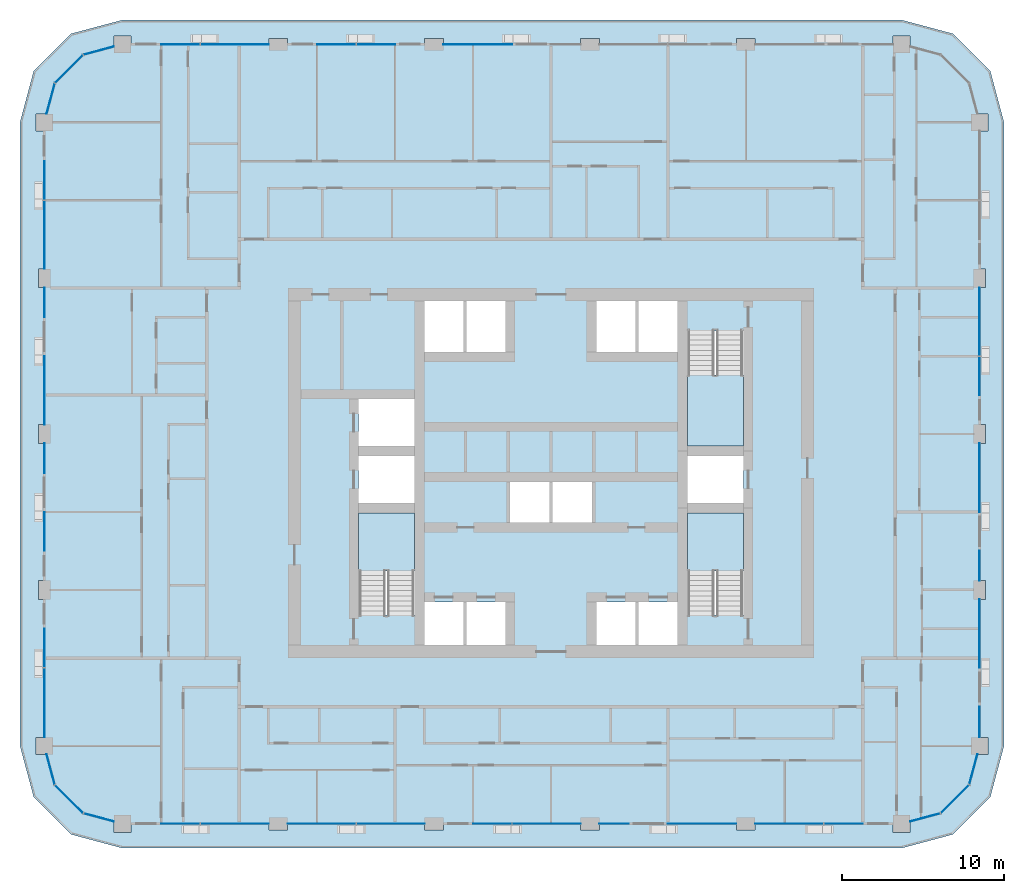
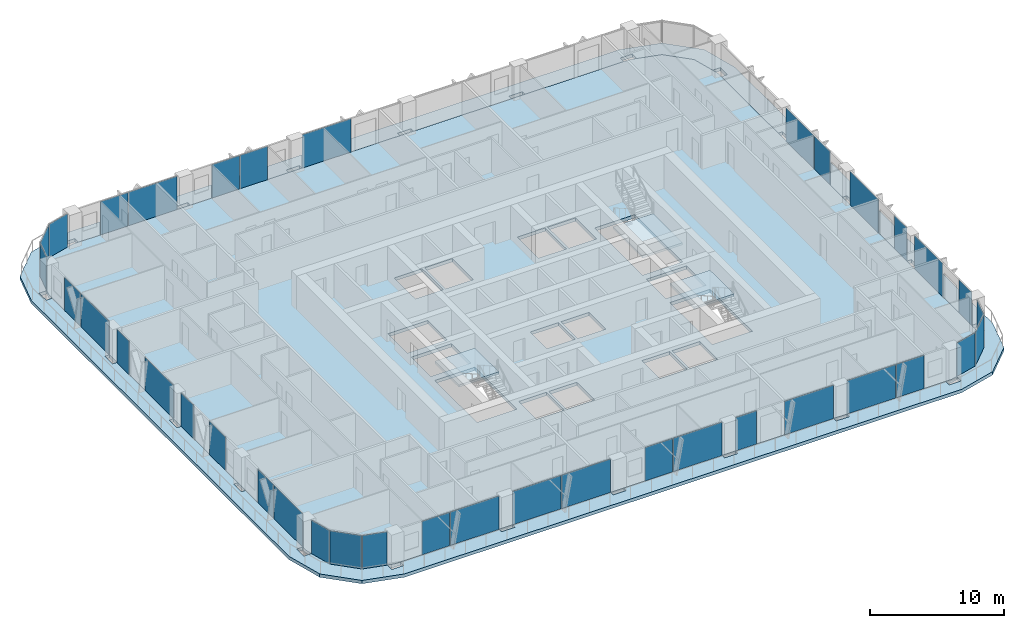
# One storey, part 7 of 22: 38 plates, 5 slabs, 21 elements without a shape of their own.
"""IFC4 building model written with IfcOpenShell, lengths in metres."""

from ifc_helpers import new_model, si_unit, direction, frame, origin, origin_2d, place, context, subcontext, project, spatial, polyline, rectangle, outline, extrude, material, layer, layer_set, type_object, element, aggregate, save


model = new_model("IFC4")

# Units and contexts
model_context = context("Model", 3, precision=1e-05, world=origin(), true_north=direction((0.0, 1.0)))
body_context = subcontext(model_context, "Body", "Model", "MODEL_VIEW")
ifc_project = project(units=[si_unit("LENGTHUNIT", "METRE"), si_unit("AREAUNIT", "SQUARE_METRE"), si_unit("VOLUMEUNIT", "CUBIC_METRE"), si_unit("PLANEANGLEUNIT", "RADIAN"), si_unit("MASSUNIT", "GRAM", prefix="KILO")], contexts=[model_context])

# Site, building, storey
site_placement = place(None, origin())
site = spatial("IfcSite", under=ifc_project, at=site_placement, CompositionType="ELEMENT")
building_placement = place(site_placement, origin())
building = spatial("IfcBuilding", under=site, at=building_placement, Name="Madar Terraces", CompositionType="ELEMENT")
storey_placement = place(building_placement, frame((0.0, 0.0, 140.10009765625)))
storey = spatial("IfcBuildingStorey", under=building, at=storey_placement, Name="L36", CompositionType="ELEMENT", Elevation=140.10009765625)

# Slabs
ifc_material_1 = material(Name="Concrete C50/60", Category="concrete")
ifc_layer_1 = layer(ifc_material_1, 0.300048828125)
ifc_layer_set_1 = layer_set([ifc_layer_1], Name="Balcony band 300")
slab_type_1 = type_object("IfcSlabType", Name="Balcony band 300", PredefinedType="FLOOR", material=ifc_layer_set_1)
slab_1_placement = place(storey_placement, frame((0.0, 0.0, -0.300048828125)))
element("IfcSlab", 1, at=slab_1_placement, inside=storey, type_object=slab_type_1, Name="Balcony band", PredefinedType="FLOOR", context=body_context, shape_type="SweptSolid", body=[
    extrude(outline(polyline([(4.800048828125, 3.300048828125), (1.64990234375, 4.14404296875), (-0.656005859375, 6.449951171875), (-1.5, 9.60009765625), (-1.5, 48.0), (-0.656005859375, 51.14990234375), (1.64990234375, 53.4560546875), (4.800048828125, 54.300048828125), (52.800048828125, 54.300048828125), (55.949951171875, 53.4560546875), (58.256103515625, 51.14990234375), (59.10009765625, 48.0), (59.10009765625, 9.60009765625), (58.256103515625, 6.449951171875), (55.949951171875, 4.14404296875), (52.800048828125, 3.300048828125), (4.800048828125, 3.300048828125)]), holes=[polyline([(5.324951171875, 4.27490234375), (5.324951171875, 4.800048828125), (13.824951171875, 4.800048828125), (13.824951171875, 4.425048828125), (14.97509765625, 4.425048828125), (14.97509765625, 4.800048828125), (23.425048828125, 4.800048828125), (23.425048828125, 4.425048828125), (24.574951171875, 4.425048828125), (24.574951171875, 4.800048828125), (33.02490234375, 4.800048828125), (33.02490234375, 4.425048828125), (34.175048828125, 4.425048828125), (34.175048828125, 4.800048828125), (42.625, 4.800048828125), (42.625, 4.425048828125), (43.77490234375, 4.425048828125), (43.77490234375, 4.800048828125), (52.27490234375, 4.800048828125), (52.27490234375, 4.27490234375), (53.324951171875, 4.27490234375), (53.324951171875, 4.940673828125), (55.199951171875, 5.443115234375), (56.956787109375, 7.199951171875), (57.459228515625, 9.074951171875), (58.125, 9.074951171875), (58.125, 10.125), (57.60009765625, 10.125), (57.60009765625, 18.625), (57.97509765625, 18.625), (57.97509765625, 19.77490234375), (57.60009765625, 19.77490234375), (57.60009765625, 28.22509765625), (57.97509765625, 28.22509765625), (57.97509765625, 29.375), (57.60009765625, 29.375), (57.60009765625, 37.824951171875), (57.97509765625, 37.824951171875), (57.97509765625, 38.97509765625), (57.60009765625, 38.97509765625), (57.60009765625, 47.47509765625), (58.125, 47.47509765625), (58.125, 48.52490234375), (57.459228515625, 48.52490234375), (56.956787109375, 50.39990234375), (55.199951171875, 52.156982421875), (53.324951171875, 52.6591796875), (53.324951171875, 53.324951171875), (52.27490234375, 53.324951171875), (52.27490234375, 52.800048828125), (43.77490234375, 52.800048828125), (43.77490234375, 53.175048828125), (42.625, 53.175048828125), (42.625, 52.800048828125), (34.175048828125, 52.800048828125), (34.175048828125, 53.175048828125), (33.02490234375, 53.175048828125), (33.02490234375, 52.800048828125), (24.574951171875, 52.800048828125), (24.574951171875, 53.175048828125), (23.425048828125, 53.175048828125), (23.425048828125, 52.800048828125), (14.97509765625, 52.800048828125), (14.97509765625, 53.175048828125), (13.824951171875, 53.175048828125), (13.824951171875, 52.800048828125), (5.324951171875, 52.800048828125), (5.324951171875, 53.324951171875), (4.27490234375, 53.324951171875), (4.27490234375, 52.6591796875), (2.39990234375, 52.156982421875), (0.64306640625, 50.39990234375), (0.140625, 48.52490234375), (-0.52490234375, 48.52490234375), (-0.52490234375, 47.47509765625), (0.0, 47.47509765625), (0.0, 38.97509765625), (-0.375, 38.97509765625), (-0.375, 37.824951171875), (0.0, 37.824951171875), (0.0, 29.375), (-0.375, 29.375), (-0.375, 28.22509765625), (0.0, 28.22509765625), (0.0, 19.77490234375), (-0.375, 19.77490234375), (-0.375, 18.625), (0.0, 18.625), (0.0, 10.125), (-0.52490234375, 10.125), (-0.52490234375, 9.074951171875), (0.140625, 9.074951171875), (0.64306640625, 7.199951171875), (2.39990234375, 5.443115234375), (4.27490234375, 4.940673828125), (4.27490234375, 4.27490234375), (5.324951171875, 4.27490234375)])]), origin(), (0.0, 0.0, 1.0), 0.300048828125),
])
ifc_material_2 = material(Name="Concrete C50/60", Category="concrete")
ifc_layer_2 = layer(ifc_material_2, 0.300048828125)
ifc_layer_set_2 = layer_set([ifc_layer_2], Name="FS2 PT flat slab 300")
slab_type_2 = type_object("IfcSlabType", Name="FS2 PT flat slab 300", PredefinedType="FLOOR", material=ifc_layer_set_2)
slab_2_placement = place(storey_placement, frame((0.0, 0.0, -0.300048828125)))
element("IfcSlab", 2, at=slab_2_placement, inside=storey, type_object=slab_type_2, Name="Floor slab L36 (1)", PredefinedType="FLOOR", context=body_context, shape_type="SweptSolid", body=[
    extrude(outline(polyline([(52.800048828125, 4.800048828125), (55.199951171875, 5.443115234375), (56.95703125, 7.199951171875), (57.60009765625, 9.60009765625), (57.60009765625, 48.0), (56.95703125, 50.39990234375), (55.199951171875, 52.156982421875), (52.800048828125, 52.800048828125), (4.800048828125, 52.800048828125), (2.39990234375, 52.156982421875), (0.64306640625, 50.39990234375), (0.0, 48.0), (0.0, 9.60009765625), (0.64306640625, 7.199951171875), (2.39990234375, 5.443115234375), (4.800048828125, 4.800048828125), (52.800048828125, 4.800048828125)]), holes=[polyline([(23.39990234375, 15.800048828125), (23.39990234375, 18.449951171875), (25.800048828125, 18.449951171875), (25.800048828125, 15.800048828125), (23.39990234375, 15.800048828125)]), polyline([(26.0, 15.800048828125), (26.0, 18.449951171875), (28.39990234375, 18.449951171875), (28.39990234375, 15.800048828125), (26.0, 15.800048828125)]), polyline([(19.35009765625, 17.64990234375), (19.35009765625, 23.949951171875), (22.800048828125, 23.949951171875), (22.800048828125, 17.64990234375), (19.35009765625, 17.64990234375)]), polyline([(28.666748046875, 23.35009765625), (28.666748046875, 25.85009765625), (31.10009765625, 25.85009765625), (31.10009765625, 23.35009765625), (28.666748046875, 23.35009765625)]), polyline([(19.35009765625, 24.550048828125), (19.35009765625, 27.449951171875), (22.800048828125, 27.449951171875), (22.800048828125, 24.550048828125), (19.35009765625, 24.550048828125)]), polyline([(19.35009765625, 28.050048828125), (19.35009765625, 30.949951171875), (22.800048828125, 30.949951171875), (22.800048828125, 28.050048828125), (19.35009765625, 28.050048828125)]), polyline([(23.39990234375, 33.85009765625), (23.39990234375, 37.0), (25.800048828125, 37.0), (25.800048828125, 33.85009765625), (23.39990234375, 33.85009765625)]), polyline([(26.0, 33.85009765625), (26.0, 37.0), (28.39990234375, 37.0), (28.39990234375, 33.85009765625), (26.0, 33.85009765625)]), polyline([(34.0, 15.800048828125), (34.0, 18.449951171875), (36.39990234375, 18.449951171875), (36.39990234375, 15.800048828125), (34.0, 15.800048828125)]), polyline([(36.60009765625, 15.800048828125), (36.60009765625, 18.449951171875), (39.0, 18.449951171875), (39.0, 15.800048828125), (36.60009765625, 15.800048828125)]), polyline([(39.60009765625, 17.64990234375), (39.60009765625, 23.949951171875), (43.050048828125, 23.949951171875), (43.050048828125, 17.64990234375), (39.60009765625, 17.64990234375)]), polyline([(31.300048828125, 23.35009765625), (31.300048828125, 25.85009765625), (33.7333984375, 25.85009765625), (33.7333984375, 23.35009765625), (31.300048828125, 23.35009765625)]), polyline([(39.60009765625, 24.550048828125), (39.60009765625, 27.449951171875), (43.050048828125, 27.449951171875), (43.050048828125, 24.550048828125), (39.60009765625, 24.550048828125)]), polyline([(39.60009765625, 28.050048828125), (39.60009765625, 35.14990234375), (43.050048828125, 35.14990234375), (43.050048828125, 28.050048828125), (39.60009765625, 28.050048828125)]), polyline([(34.0, 33.85009765625), (34.0, 37.0), (36.39990234375, 37.0), (36.39990234375, 33.85009765625), (34.0, 33.85009765625)]), polyline([(36.60009765625, 33.85009765625), (36.60009765625, 37.0), (39.0, 37.0), (39.0, 33.85009765625), (36.60009765625, 33.85009765625)])]), origin(), (0.0, 0.0, 1.0), 0.300048828125),
])

# Curtain wall, plates
ifc_material_3 = material(Name="Glass, ceramic frit dark grey, with black aluminium frame", Category="aluminium")
ifc_layer_3 = layer(ifc_material_3, 0.199951171875)
ifc_layer_set_3 = layer_set([ifc_layer_3], Name="Facade curtain wall, fritted glass")
curtain_wall_type = type_object("IfcCurtainWallType", Name="Facade curtain wall, fritted glass", PredefinedType="NOTDEFINED", material=ifc_layer_set_3)
curtain_wall_1_placement = place(storey_placement, origin())
curtain_wall_1 = element("IfcCurtainWall", 3, at=curtain_wall_1_placement, inside=storey, type_object=curtain_wall_type, Name="Outer skin curtain wall south bay 1", PredefinedType="NOTDEFINED")
ifc_material_4 = material(Name="Glass, ceramic frit dark grey", Category="glass")
ifc_layer_4 = layer(ifc_material_4, 0.028076171875)
ifc_layer_set_4 = layer_set([ifc_layer_4], Name="Facade glass panel 28")
plate_type = type_object("IfcPlateType", Name="Facade glass panel 28", PredefinedType="CURTAIN_PANEL", material=ifc_layer_set_4)
plate_1_placement = place(storey_placement, frame((8.385009765625, 4.800048828125, 0.0), z_axis=(0.0, 0.0, 1.0), x_axis=(1.0, 0.0, 0.0)))
plate_1 = element("IfcPlate", 4, at=plate_1_placement, type_object=plate_type, Name="Panel 1", PredefinedType="CURTAIN_PANEL", context=body_context, shape_type="SweptSolid", body=[
    extrude(rectangle(XDim=2.3701171875, YDim=0.028076171875, at=origin_2d()), origin(), (0.0, 0.0, 1.0), 3.0400390625),
])
plate_2_placement = place(storey_placement, frame((11.7275390625, 4.800048828125, 0.0), z_axis=(0.0, 0.0, 1.0), x_axis=(1.0, 0.0, 0.0)))
plate_2 = element("IfcPlate", 5, at=plate_2_placement, type_object=plate_type, Name="Panel 2", PredefinedType="CURTAIN_PANEL", context=body_context, shape_type="SweptSolid", body=[
    extrude(rectangle(XDim=4.195068359375, YDim=0.028076171875, at=origin_2d()), origin(), (0.0, 0.0, 1.0), 3.0400390625),
])
aggregate(curtain_wall_1, [plate_1, plate_2])

curtain_wall_2_placement = place(storey_placement, origin())
curtain_wall_2 = element("IfcCurtainWall", 6, at=curtain_wall_2_placement, inside=storey, type_object=curtain_wall_type, Name="Outer skin curtain wall south bay 2", PredefinedType="NOTDEFINED")
plate_3_placement = place(storey_placement, frame((17.072509765625, 4.800048828125, 0.0), z_axis=(0.0, 0.0, 1.0), x_axis=(1.0, 0.0, 0.0)))
plate_3 = element("IfcPlate", 7, at=plate_3_placement, type_object=plate_type, Name="Panel 1", PredefinedType="CURTAIN_PANEL", context=body_context, shape_type="SweptSolid", body=[
    extrude(rectangle(XDim=4.195068359375, YDim=0.028076171875, at=origin_2d()), origin(), (0.0, 0.0, 1.0), 3.0400390625),
])
plate_4_placement = place(storey_placement, frame((21.327392578125, 4.800048828125, 0.0), z_axis=(0.0, 0.0, 1.0), x_axis=(1.0, 0.0, 0.0)))
plate_4 = element("IfcPlate", 8, at=plate_4_placement, type_object=plate_type, Name="Panel 2", PredefinedType="CURTAIN_PANEL", context=body_context, shape_type="SweptSolid", body=[
    extrude(rectangle(XDim=4.195068359375, YDim=0.028076171875, at=origin_2d()), origin(), (0.0, 0.0, 1.0), 3.0400390625),
])
aggregate(curtain_wall_2, [plate_3, plate_4])

curtain_wall_3_placement = place(storey_placement, origin())
curtain_wall_3 = element("IfcCurtainWall", 9, at=curtain_wall_3_placement, inside=storey, type_object=curtain_wall_type, Name="Outer skin curtain wall south bay 3", PredefinedType="NOTDEFINED")
plate_5_placement = place(storey_placement, frame((27.5849609375, 4.800048828125, 0.0), z_axis=(0.0, 0.0, 1.0), x_axis=(1.0, 0.0, 0.0)))
plate_5 = element("IfcPlate", 10, at=plate_5_placement, type_object=plate_type, Name="Panel 1", PredefinedType="CURTAIN_PANEL", context=body_context, shape_type="SweptSolid", body=[
    extrude(rectangle(XDim=2.3701171875, YDim=0.028076171875, at=origin_2d()), origin(), (0.0, 0.0, 1.0), 3.0400390625),
])
plate_6_placement = place(storey_placement, frame((30.927490234375, 4.800048828125, 0.0), z_axis=(0.0, 0.0, 1.0), x_axis=(1.0, 0.0, 0.0)))
plate_6 = element("IfcPlate", 11, at=plate_6_placement, type_object=plate_type, Name="Panel 2", PredefinedType="CURTAIN_PANEL", context=body_context, shape_type="SweptSolid", body=[
    extrude(rectangle(XDim=4.195068359375, YDim=0.028076171875, at=origin_2d()), origin(), (0.0, 0.0, 1.0), 3.0400390625),
])
aggregate(curtain_wall_3, [plate_5, plate_6])

curtain_wall_4_placement = place(storey_placement, origin())
curtain_wall_4 = element("IfcCurtainWall", 12, at=curtain_wall_4_placement, inside=storey, type_object=curtain_wall_type, Name="Outer skin curtain wall south bay 4", PredefinedType="NOTDEFINED")
plate_7_placement = place(storey_placement, frame((35.08740234375, 4.800048828125, 0.0), z_axis=(0.0, 0.0, 1.0), x_axis=(1.0, 0.0, 0.0)))
plate_7 = element("IfcPlate", 13, at=plate_7_placement, type_object=plate_type, Name="Panel 1", PredefinedType="CURTAIN_PANEL", context=body_context, shape_type="SweptSolid", body=[
    extrude(rectangle(XDim=1.824951171875, YDim=0.028076171875, at=origin_2d()), origin(), (0.0, 0.0, 1.0), 3.0400390625),
])
plate_8_placement = place(storey_placement, frame((40.512451171875, 4.800048828125, 0.0), z_axis=(0.0, 0.0, 1.0), x_axis=(1.0, 0.0, 0.0)))
plate_8 = element("IfcPlate", 14, at=plate_8_placement, type_object=plate_type, Name="Panel 2", PredefinedType="CURTAIN_PANEL", context=body_context, shape_type="SweptSolid", body=[
    extrude(rectangle(XDim=4.22509765625, YDim=0.028076171875, at=origin_2d()), origin(), (0.0, 0.0, 1.0), 3.0400390625),
])
aggregate(curtain_wall_4, [plate_7, plate_8])

curtain_wall_5_placement = place(storey_placement, origin())
curtain_wall_5 = element("IfcCurtainWall", 15, at=curtain_wall_5_placement, inside=storey, type_object=curtain_wall_type, Name="Outer skin curtain wall south bay 5", PredefinedType="NOTDEFINED")
plate_9_placement = place(storey_placement, frame((45.87255859375, 4.800048828125, 0.0), z_axis=(0.0, 0.0, 1.0), x_axis=(1.0, 0.0, 0.0)))
plate_9 = element("IfcPlate", 16, at=plate_9_placement, type_object=plate_type, Name="Panel 1", PredefinedType="CURTAIN_PANEL", context=body_context, shape_type="SweptSolid", body=[
    extrude(rectangle(XDim=4.195068359375, YDim=0.028076171875, at=origin_2d()), origin(), (0.0, 0.0, 1.0), 3.0400390625),
])
plate_10_placement = place(storey_placement, frame((49.215087890625, 4.800048828125, 0.0), z_axis=(0.0, 0.0, 1.0), x_axis=(1.0, 0.0, 0.0)))
plate_10 = element("IfcPlate", 17, at=plate_10_placement, type_object=plate_type, Name="Panel 2", PredefinedType="CURTAIN_PANEL", context=body_context, shape_type="SweptSolid", body=[
    extrude(rectangle(XDim=2.3701171875, YDim=0.028076171875, at=origin_2d()), origin(), (0.0, 0.0, 1.0), 3.0400390625),
])
aggregate(curtain_wall_5, [plate_9, plate_10])

curtain_wall_6_placement = place(storey_placement, origin())
curtain_wall_6 = element("IfcCurtainWall", 18, at=curtain_wall_6_placement, inside=storey, type_object=curtain_wall_type, Name="Outer skin curtain wall east bay 1", PredefinedType="NOTDEFINED")
plate_11_placement = place(storey_placement, frame((57.60009765625, 11.0625, 0.0), z_axis=(0.0, 0.0, 1.0), x_axis=(0.0, 1.0, 0.0)))
plate_11 = element("IfcPlate", 19, at=plate_11_placement, type_object=plate_type, Name="Panel 1", PredefinedType="CURTAIN_PANEL", context=body_context, shape_type="SweptSolid", body=[
    extrude(rectangle(XDim=1.875, YDim=0.028076171875, at=origin_2d()), origin(), (0.0, 0.0, 1.0), 3.0400390625),
])
plate_12_placement = place(storey_placement, frame((57.60009765625, 16.512451171875, 0.0), z_axis=(0.0, 0.0, 1.0), x_axis=(0.0, 1.0, 0.0)))
plate_12 = element("IfcPlate", 20, at=plate_12_placement, type_object=plate_type, Name="Panel 2", PredefinedType="CURTAIN_PANEL", context=body_context, shape_type="SweptSolid", body=[
    extrude(rectangle(XDim=4.22509765625, YDim=0.028076171875, at=origin_2d()), origin(), (0.0, 0.0, 1.0), 3.0400390625),
])
aggregate(curtain_wall_6, [plate_11, plate_12])

curtain_wall_7_placement = place(storey_placement, origin())
curtain_wall_7 = element("IfcCurtainWall", 21, at=curtain_wall_7_placement, inside=storey, type_object=curtain_wall_type, Name="Outer skin curtain wall east bay 2", PredefinedType="NOTDEFINED")
plate_13_placement = place(storey_placement, frame((57.60009765625, 20.6875, 0.0), z_axis=(0.0, 0.0, 1.0), x_axis=(0.0, 1.0, 0.0)))
plate_13 = element("IfcPlate", 22, at=plate_13_placement, type_object=plate_type, Name="Panel 1", PredefinedType="CURTAIN_PANEL", context=body_context, shape_type="SweptSolid", body=[
    extrude(rectangle(XDim=1.824951171875, YDim=0.028076171875, at=origin_2d()), origin(), (0.0, 0.0, 1.0), 3.0400390625),
])
plate_14_placement = place(storey_placement, frame((57.60009765625, 26.112548828125, 0.0), z_axis=(0.0, 0.0, 1.0), x_axis=(0.0, 1.0, 0.0)))
plate_14 = element("IfcPlate", 23, at=plate_14_placement, type_object=plate_type, Name="Panel 2", PredefinedType="CURTAIN_PANEL", context=body_context, shape_type="SweptSolid", body=[
    extrude(rectangle(XDim=4.22509765625, YDim=0.028076171875, at=origin_2d()), origin(), (0.0, 0.0, 1.0), 3.0400390625),
])
aggregate(curtain_wall_7, [plate_13, plate_14])

curtain_wall_8_placement = place(storey_placement, origin())
curtain_wall_8 = element("IfcCurtainWall", 24, at=curtain_wall_8_placement, inside=storey, type_object=curtain_wall_type, Name="Outer skin curtain wall east bay 3", PredefinedType="NOTDEFINED")
plate_15_placement = place(storey_placement, frame((57.60009765625, 32.385009765625, 0.0), z_axis=(0.0, 0.0, 1.0), x_axis=(0.0, 1.0, 0.0)))
plate_15 = element("IfcPlate", 25, at=plate_15_placement, type_object=plate_type, Name="Panel 1", PredefinedType="CURTAIN_PANEL", context=body_context, shape_type="SweptSolid", body=[
    extrude(rectangle(XDim=2.3701171875, YDim=0.028076171875, at=origin_2d()), origin(), (0.0, 0.0, 1.0), 3.0400390625),
])
plate_16_placement = place(storey_placement, frame((57.60009765625, 35.7275390625, 0.0), z_axis=(0.0, 0.0, 1.0), x_axis=(0.0, 1.0, 0.0)))
plate_16 = element("IfcPlate", 26, at=plate_16_placement, type_object=plate_type, Name="Panel 2", PredefinedType="CURTAIN_PANEL", context=body_context, shape_type="SweptSolid", body=[
    extrude(rectangle(XDim=4.195068359375, YDim=0.028076171875, at=origin_2d()), origin(), (0.0, 0.0, 1.0), 3.0400390625),
])
aggregate(curtain_wall_8, [plate_15, plate_16])

# Curtain wall, plate
curtain_wall_9_placement = place(storey_placement, origin())
curtain_wall_9 = element("IfcCurtainWall", 27, at=curtain_wall_9_placement, inside=storey, type_object=curtain_wall_type, Name="Outer skin curtain wall north bay 3", PredefinedType="NOTDEFINED")
plate_17_placement = place(storey_placement, frame((26.6875, 52.800048828125, 0.0), z_axis=(0.0, 0.0, 1.0), x_axis=(-1.0, 0.0, 0.0)))
plate_17 = element("IfcPlate", 28, at=plate_17_placement, type_object=plate_type, Name="Panel 2", PredefinedType="CURTAIN_PANEL", context=body_context, shape_type="SweptSolid", body=[
    extrude(rectangle(XDim=4.22509765625, YDim=0.028076171875, at=origin_2d()), origin(), (0.0, 0.0, 1.0), 3.0400390625),
])
aggregate(curtain_wall_9, [plate_17])

# Curtain wall, plates
curtain_wall_10_placement = place(storey_placement, origin())
curtain_wall_10 = element("IfcCurtainWall", 29, at=curtain_wall_10_placement, inside=storey, type_object=curtain_wall_type, Name="Outer skin curtain wall north bay 4", PredefinedType="NOTDEFINED")
plate_18_placement = place(storey_placement, frame((20.4150390625, 52.800048828125, 0.0), z_axis=(0.0, 0.0, 1.0), x_axis=(-1.0, 0.0, 0.0)))
plate_18 = element("IfcPlate", 30, at=plate_18_placement, type_object=plate_type, Name="Panel 1", PredefinedType="CURTAIN_PANEL", context=body_context, shape_type="SweptSolid", body=[
    extrude(rectangle(XDim=2.3701171875, YDim=0.028076171875, at=origin_2d()), origin(), (0.0, 0.0, 1.0), 3.0400390625),
])
plate_19_placement = place(storey_placement, frame((17.985107421875, 52.800048828125, 0.0), z_axis=(0.0, 0.0, 1.0), x_axis=(-1.0, 0.0, 0.0)))
plate_19 = element("IfcPlate", 31, at=plate_19_placement, type_object=plate_type, Name="Panel 2", PredefinedType="CURTAIN_PANEL", context=body_context, shape_type="SweptSolid", body=[
    extrude(rectangle(XDim=2.3701171875, YDim=0.028076171875, at=origin_2d()), origin(), (0.0, 0.0, 1.0), 3.0400390625),
])
aggregate(curtain_wall_10, [plate_18, plate_19])

curtain_wall_11_placement = place(storey_placement, origin())
curtain_wall_11 = element("IfcCurtainWall", 32, at=curtain_wall_11_placement, inside=storey, type_object=curtain_wall_type, Name="Outer skin curtain wall north bay 5", PredefinedType="NOTDEFINED")
plate_20_placement = place(storey_placement, frame((11.7275390625, 52.800048828125, 0.0), z_axis=(0.0, 0.0, 1.0), x_axis=(-1.0, 0.0, 0.0)))
plate_20 = element("IfcPlate", 33, at=plate_20_placement, type_object=plate_type, Name="Panel 1", PredefinedType="CURTAIN_PANEL", context=body_context, shape_type="SweptSolid", body=[
    extrude(rectangle(XDim=4.195068359375, YDim=0.028076171875, at=origin_2d()), origin(), (0.0, 0.0, 1.0), 3.0400390625),
])
plate_21_placement = place(storey_placement, frame((8.385009765625, 52.800048828125, 0.0), z_axis=(0.0, 0.0, 1.0), x_axis=(-1.0, 0.0, 0.0)))
plate_21 = element("IfcPlate", 34, at=plate_21_placement, type_object=plate_type, Name="Panel 2", PredefinedType="CURTAIN_PANEL", context=body_context, shape_type="SweptSolid", body=[
    extrude(rectangle(XDim=2.3701171875, YDim=0.028076171875, at=origin_2d()), origin(), (0.0, 0.0, 1.0), 3.0400390625),
])
aggregate(curtain_wall_11, [plate_20, plate_21])

curtain_wall_12_placement = place(storey_placement, origin())
curtain_wall_12 = element("IfcCurtainWall", 35, at=curtain_wall_12_placement, inside=storey, type_object=curtain_wall_type, Name="Outer skin curtain wall west bay 1", PredefinedType="NOTDEFINED")
plate_22_placement = place(storey_placement, frame((0.0, 44.4150390625, 0.0), z_axis=(0.0, 0.0, 1.0), x_axis=(0.0, -1.0, 0.0)))
plate_22 = element("IfcPlate", 36, at=plate_22_placement, type_object=plate_type, Name="Panel 1", PredefinedType="CURTAIN_PANEL", context=body_context, shape_type="SweptSolid", body=[
    extrude(rectangle(XDim=2.3701171875, YDim=0.028076171875, at=origin_2d()), origin(), (0.0, 0.0, 1.0), 3.0400390625),
])
plate_23_placement = place(storey_placement, frame((0.0, 41.072509765625, 0.0), z_axis=(0.0, 0.0, 1.0), x_axis=(0.0, -1.0, 0.0)))
plate_23 = element("IfcPlate", 37, at=plate_23_placement, type_object=plate_type, Name="Panel 2", PredefinedType="CURTAIN_PANEL", context=body_context, shape_type="SweptSolid", body=[
    extrude(rectangle(XDim=4.195068359375, YDim=0.028076171875, at=origin_2d()), origin(), (0.0, 0.0, 1.0), 3.0400390625),
])
aggregate(curtain_wall_12, [plate_22, plate_23])

curtain_wall_13_placement = place(storey_placement, origin())
curtain_wall_13 = element("IfcCurtainWall", 38, at=curtain_wall_13_placement, inside=storey, type_object=curtain_wall_type, Name="Outer skin curtain wall west bay 2", PredefinedType="NOTDEFINED")
plate_24_placement = place(storey_placement, frame((0.0, 36.91259765625, 0.0), z_axis=(0.0, 0.0, 1.0), x_axis=(0.0, -1.0, 0.0)))
plate_24 = element("IfcPlate", 39, at=plate_24_placement, type_object=plate_type, Name="Panel 1", PredefinedType="CURTAIN_PANEL", context=body_context, shape_type="SweptSolid", body=[
    extrude(rectangle(XDim=1.824951171875, YDim=0.028076171875, at=origin_2d()), origin(), (0.0, 0.0, 1.0), 3.0400390625),
])
plate_25_placement = place(storey_placement, frame((0.0, 31.487548828125, 0.0), z_axis=(0.0, 0.0, 1.0), x_axis=(0.0, -1.0, 0.0)))
plate_25 = element("IfcPlate", 40, at=plate_25_placement, type_object=plate_type, Name="Panel 2", PredefinedType="CURTAIN_PANEL", context=body_context, shape_type="SweptSolid", body=[
    extrude(rectangle(XDim=4.22509765625, YDim=0.028076171875, at=origin_2d()), origin(), (0.0, 0.0, 1.0), 3.0400390625),
])
aggregate(curtain_wall_13, [plate_24, plate_25])

curtain_wall_14_placement = place(storey_placement, origin())
curtain_wall_14 = element("IfcCurtainWall", 41, at=curtain_wall_14_placement, inside=storey, type_object=curtain_wall_type, Name="Outer skin curtain wall west bay 3", PredefinedType="NOTDEFINED")
plate_26_placement = place(storey_placement, frame((0.0, 27.3125, 0.0), z_axis=(0.0, 0.0, 1.0), x_axis=(0.0, -1.0, 0.0)))
plate_26 = element("IfcPlate", 42, at=plate_26_placement, type_object=plate_type, Name="Panel 1", PredefinedType="CURTAIN_PANEL", context=body_context, shape_type="SweptSolid", body=[
    extrude(rectangle(XDim=1.824951171875, YDim=0.028076171875, at=origin_2d()), origin(), (0.0, 0.0, 1.0), 3.0400390625),
])
plate_27_placement = place(storey_placement, frame((0.0, 22.800048828125, 0.0), z_axis=(0.0, 0.0, 1.0), x_axis=(0.0, -1.0, 0.0)))
plate_27 = element("IfcPlate", 43, at=plate_27_placement, type_object=plate_type, Name="Panel 2", PredefinedType="CURTAIN_PANEL", context=body_context, shape_type="SweptSolid", body=[
    extrude(rectangle(XDim=2.39990234375, YDim=0.028076171875, at=origin_2d()), origin(), (0.0, 0.0, 1.0), 3.0400390625),
])
aggregate(curtain_wall_14, [plate_26, plate_27])

curtain_wall_15_placement = place(storey_placement, origin())
curtain_wall_15 = element("IfcCurtainWall", 44, at=curtain_wall_15_placement, inside=storey, type_object=curtain_wall_type, Name="Outer skin curtain wall west bay 4", PredefinedType="NOTDEFINED")
plate_28_placement = place(storey_placement, frame((0.0, 15.614990234375, 0.0), z_axis=(0.0, 0.0, 1.0), x_axis=(0.0, -1.0, 0.0)))
plate_28 = element("IfcPlate", 45, at=plate_28_placement, type_object=plate_type, Name="Panel 1", PredefinedType="CURTAIN_PANEL", context=body_context, shape_type="SweptSolid", body=[
    extrude(rectangle(XDim=2.3701171875, YDim=0.028076171875, at=origin_2d()), origin(), (0.0, 0.0, 1.0), 3.0400390625),
])
plate_29_placement = place(storey_placement, frame((0.0, 12.24755859375, 0.0), z_axis=(0.0, 0.0, 1.0), x_axis=(0.0, -1.0, 0.0)))
plate_29 = element("IfcPlate", 46, at=plate_29_placement, type_object=plate_type, Name="Panel 2", PredefinedType="CURTAIN_PANEL", context=body_context, shape_type="SweptSolid", body=[
    extrude(rectangle(XDim=4.2451171875, YDim=0.028076171875, at=origin_2d()), origin(), (0.0, 0.0, 1.0), 3.0400390625),
])
aggregate(curtain_wall_15, [plate_28, plate_29])

curtain_wall_16_placement = place(storey_placement, origin())
curtain_wall_16 = element("IfcCurtainWall", 47, at=curtain_wall_16_placement, inside=storey, type_object=curtain_wall_type, Name="Outer skin curtain wall south-east corner", PredefinedType="NOTDEFINED")
plate_30_placement = place(storey_placement, frame((54.248046875, 5.18798828125, 0.0), z_axis=(0.0, 0.0, 1.0), x_axis=(0.965925832509, 0.258819021888, 0.0)))
plate_30 = element("IfcPlate", 48, at=plate_30_placement, type_object=plate_type, Name="Panel 1", PredefinedType="CURTAIN_PANEL", context=body_context, shape_type="SweptSolid", body=[
    extrude(rectangle(XDim=1.9111328125, YDim=0.028076171875, at=origin_2d()), origin(), (0.0, 0.0, 1.0), 3.0400390625),
])
plate_31_placement = place(storey_placement, frame((56.078369140625, 6.321533203125, 0.0), z_axis=(0.0, 0.0, 1.0), x_axis=(0.707106781187, 0.707106781187, 0.0)))
plate_31 = element("IfcPlate", 49, at=plate_31_placement, type_object=plate_type, Name="Panel 2", PredefinedType="CURTAIN_PANEL", context=body_context, shape_type="SweptSolid", body=[
    extrude(rectangle(XDim=2.424560546875, YDim=0.028076171875, at=origin_2d()), origin(), (0.0, 0.0, 1.0), 3.0400390625),
])
plate_32_placement = place(storey_placement, frame((57.2119140625, 8.152099609375, 0.0), z_axis=(0.0, 0.0, 1.0), x_axis=(0.258819021888, 0.965925832509, 0.0)))
plate_32 = element("IfcPlate", 50, at=plate_32_placement, type_object=plate_type, Name="Panel 3", PredefinedType="CURTAIN_PANEL", context=body_context, shape_type="SweptSolid", body=[
    extrude(rectangle(XDim=1.9111328125, YDim=0.028076171875, at=origin_2d()), origin(), (0.0, 0.0, 1.0), 3.0400390625),
])
aggregate(curtain_wall_16, [plate_30, plate_31, plate_32])

curtain_wall_17_placement = place(storey_placement, origin())
curtain_wall_17 = element("IfcCurtainWall", 51, at=curtain_wall_17_placement, inside=storey, type_object=curtain_wall_type, Name="Outer skin curtain wall north-west corner", PredefinedType="NOTDEFINED")
plate_33_placement = place(storey_placement, frame((3.35205078125, 52.412109375, 0.0), z_axis=(0.0, 0.0, 1.0), x_axis=(-0.965925832509, -0.258819021888, 0.0)))
plate_33 = element("IfcPlate", 52, at=plate_33_placement, type_object=plate_type, Name="Panel 1", PredefinedType="CURTAIN_PANEL", context=body_context, shape_type="SweptSolid", body=[
    extrude(rectangle(XDim=1.9111328125, YDim=0.028076171875, at=origin_2d()), origin(), (0.0, 0.0, 1.0), 3.0400390625),
])
plate_34_placement = place(storey_placement, frame((1.521484375, 51.278564453125, 0.0), z_axis=(0.0, 0.0, 1.0), x_axis=(-0.707106781187, -0.707106781187, 0.0)))
plate_34 = element("IfcPlate", 53, at=plate_34_placement, type_object=plate_type, Name="Panel 2", PredefinedType="CURTAIN_PANEL", context=body_context, shape_type="SweptSolid", body=[
    extrude(rectangle(XDim=2.424560546875, YDim=0.028076171875, at=origin_2d()), origin(), (0.0, 0.0, 1.0), 3.0400390625),
])
plate_35_placement = place(storey_placement, frame((0.387939453125, 49.447998046875, 0.0), z_axis=(0.0, 0.0, 1.0), x_axis=(-0.258819021888, -0.965925832509, 0.0)))
plate_35 = element("IfcPlate", 54, at=plate_35_placement, type_object=plate_type, Name="Panel 3", PredefinedType="CURTAIN_PANEL", context=body_context, shape_type="SweptSolid", body=[
    extrude(rectangle(XDim=1.9111328125, YDim=0.028076171875, at=origin_2d()), origin(), (0.0, 0.0, 1.0), 3.0400390625),
])
aggregate(curtain_wall_17, [plate_33, plate_34, plate_35])

curtain_wall_18_placement = place(storey_placement, origin())
curtain_wall_18 = element("IfcCurtainWall", 55, at=curtain_wall_18_placement, inside=storey, type_object=curtain_wall_type, Name="Outer skin curtain wall south-west corner", PredefinedType="NOTDEFINED")
plate_36_placement = place(storey_placement, frame((0.387939453125, 8.152099609375, 0.0), z_axis=(0.0, 0.0, 1.0), x_axis=(0.258819021888, -0.965925832509, 0.0)))
plate_36 = element("IfcPlate", 56, at=plate_36_placement, type_object=plate_type, Name="Panel 1", PredefinedType="CURTAIN_PANEL", context=body_context, shape_type="SweptSolid", body=[
    extrude(rectangle(XDim=1.9111328125, YDim=0.028076171875, at=origin_2d()), origin(), (0.0, 0.0, 1.0), 3.0400390625),
])
plate_37_placement = place(storey_placement, frame((1.521484375, 6.321533203125, 0.0), z_axis=(0.0, 0.0, 1.0), x_axis=(0.707106781187, -0.707106781187, 0.0)))
plate_37 = element("IfcPlate", 57, at=plate_37_placement, type_object=plate_type, Name="Panel 2", PredefinedType="CURTAIN_PANEL", context=body_context, shape_type="SweptSolid", body=[
    extrude(rectangle(XDim=2.424560546875, YDim=0.028076171875, at=origin_2d()), origin(), (0.0, 0.0, 1.0), 3.0400390625),
])
plate_38_placement = place(storey_placement, frame((3.35205078125, 5.18798828125, 0.0), z_axis=(0.0, 0.0, 1.0), x_axis=(0.965925832509, -0.258819021888, 0.0)))
plate_38 = element("IfcPlate", 58, at=plate_38_placement, type_object=plate_type, Name="Panel 3", PredefinedType="CURTAIN_PANEL", context=body_context, shape_type="SweptSolid", body=[
    extrude(rectangle(XDim=1.9111328125, YDim=0.028076171875, at=origin_2d()), origin(), (0.0, 0.0, 1.0), 3.0400390625),
])
aggregate(curtain_wall_18, [plate_36, plate_37, plate_38])

# Stair, slab
ifc_material_5 = material(Name="Concrete C50/60", Category="concrete")
stair_type_1 = type_object("IfcStairType", Name="Stair ST1 protected exit", PredefinedType="HALF_TURN_STAIR", material=ifc_material_5)
stair_1_placement = place(storey_placement, origin())
stair_1 = element("IfcStair", 59, at=stair_1_placement, inside=storey, type_object=stair_type_1, Name="L36 Protected Exit Stair ST1", PredefinedType="HALF_TURN_STAIR")
ifc_material_6 = material(Name="Concrete C50/60", Category="concrete")
ifc_layer_5 = layer(ifc_material_6, 0.199951171875)
ifc_layer_set_5 = layer_set([ifc_layer_5], Name="Stair landing 200, top +1.75")
slab_type_3 = type_object("IfcSlabType", Name="Stair landing 200, top +1.75", PredefinedType="LANDING", material=ifc_layer_set_5)
slab_3_placement = place(storey_placement, frame((0.0, 0.0, 1.5498046875)))
slab_3 = element("IfcSlab", 60, at=slab_3_placement, type_object=slab_type_3, Name="ST1 landing 1", PredefinedType="LANDING", context=body_context, shape_type="SweptSolid", body=[
    extrude(outline(polyline([(19.35009765625, 20.360107421875), (22.800048828125, 20.360107421875), (22.800048828125, 23.949951171875), (19.35009765625, 23.949951171875), (19.35009765625, 20.360107421875)])), origin(), (0.0, 0.0, 1.0), 0.2001953125),
])
aggregate(stair_1, [slab_3])

ifc_material_7 = material(Name="Concrete C50/60", Category="concrete")
stair_type_2 = type_object("IfcStairType", Name="Stair ST2 protected exit", PredefinedType="HALF_TURN_STAIR", material=ifc_material_7)
stair_2_placement = place(storey_placement, origin())
stair_2 = element("IfcStair", 61, at=stair_2_placement, inside=storey, type_object=stair_type_2, Name="L36 Protected Exit Stair ST2", PredefinedType="HALF_TURN_STAIR")
slab_4_placement = place(storey_placement, frame((0.0, 0.0, 1.5498046875)))
slab_4 = element("IfcSlab", 62, at=slab_4_placement, type_object=slab_type_3, Name="ST2 landing 1", PredefinedType="LANDING", context=body_context, shape_type="SweptSolid", body=[
    extrude(outline(polyline([(39.60009765625, 28.050048828125), (43.050048828125, 28.050048828125), (43.050048828125, 32.43994140625), (39.60009765625, 32.43994140625), (39.60009765625, 28.050048828125)])), origin(), (0.0, 0.0, 1.0), 0.2001953125),
])
aggregate(stair_2, [slab_4])

ifc_material_8 = material(Name="Concrete C50/60", Category="concrete")
stair_type_3 = type_object("IfcStairType", Name="Stair ST3 protected exit", PredefinedType="HALF_TURN_STAIR", material=ifc_material_8)
stair_3_placement = place(storey_placement, origin())
stair_3 = element("IfcStair", 63, at=stair_3_placement, inside=storey, type_object=stair_type_3, Name="L36 Protected Exit Stair ST3", PredefinedType="HALF_TURN_STAIR")
slab_5_placement = place(storey_placement, frame((0.0, 0.0, 1.5498046875)))
slab_5 = element("IfcSlab", 64, at=slab_5_placement, type_object=slab_type_3, Name="ST3 landing 1", PredefinedType="LANDING", context=body_context, shape_type="SweptSolid", body=[
    extrude(outline(polyline([(39.60009765625, 20.360107421875), (43.050048828125, 20.360107421875), (43.050048828125, 23.949951171875), (39.60009765625, 23.949951171875), (39.60009765625, 20.360107421875)])), origin(), (0.0, 0.0, 1.0), 0.2001953125),
])
aggregate(stair_3, [slab_5])

save(model, "model.ifc")
